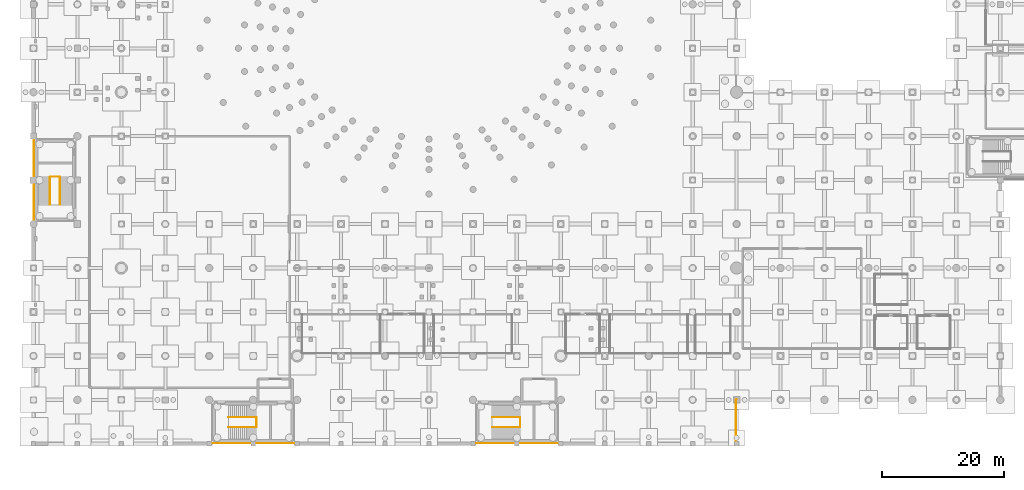
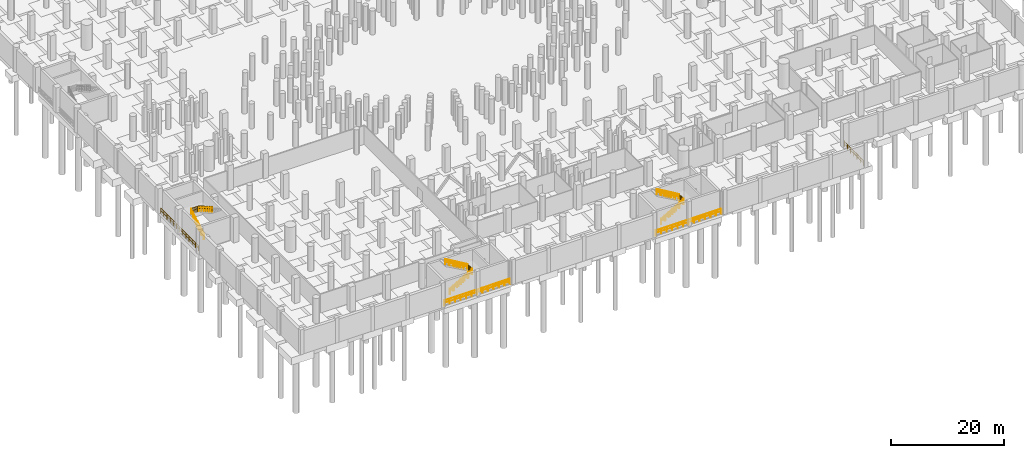
# One storey, part 32 of 37: 19 railings.
"""IFC4 building model written with IfcOpenShell, lengths in metres."""

from ifc_helpers import new_model, si_unit, direction, frame, origin, origin_2d, place, context, subcontext, project, spatial, circle, extrude, material, type_object, element, save


model = new_model("IFC4")

# Units and contexts
model_context = context("Model", 3, precision=1e-05, world=origin(), true_north=direction((0.0, 1.0)))
body_context = subcontext(model_context, "Body", "Model", "MODEL_VIEW")
ifc_project = project(units=[si_unit("LENGTHUNIT", "METRE"), si_unit("AREAUNIT", "SQUARE_METRE"), si_unit("VOLUMEUNIT", "CUBIC_METRE"), si_unit("PLANEANGLEUNIT", "RADIAN"), si_unit("MASSUNIT", "GRAM", prefix="KILO")], contexts=[model_context])

# Site, building, storey
site_placement = place(None, origin())
site = spatial("IfcSite", under=ifc_project, at=site_placement, CompositionType="ELEMENT")
building_placement = place(site_placement, origin())
building = spatial("IfcBuilding", under=site, at=building_placement, Name="Qandorah Velis Arena", CompositionType="ELEMENT")
storey_placement = place(building_placement, frame((0.0, 0.0, -5.39990234375)))
storey = spatial("IfcBuildingStorey", under=building, at=storey_placement, Name="B1", CompositionType="ELEMENT", Elevation=-5.39990234375)

# Railings
ifc_material = material(Name="Stainless steel 316", Category="steel")
railing_type_1 = type_object("IfcRailingType", Name="ARC-RL-GRD1150", PredefinedType="GUARDRAIL", material=ifc_material)
railing_1_placement = place(storey_placement, frame((36.5458984375, 2.739990234375, 2.699951171875)))
element("IfcRailing", 1, at=railing_1_placement, inside=storey, type_object=railing_type_1, Name="Stair ST1 well guardrail (B1)", PredefinedType="GUARDRAIL", context=body_context, shape_type="SweptSolid", body=[
    extrude(circle(Radius=0.02392578125, at=origin_2d()), frame((0.0, 0.0, 1.1259765625), z_axis=(0.0, 1.0, 0.0), x_axis=(-1.0, 0.0, 0.0)), (0.0, 0.0, 1.0), 1.6201171875),
    extrude(circle(Radius=0.02392578125, at=origin_2d()), frame((0.0, 0.0, 0.597900390625), z_axis=(0.0, 1.0, 0.0), x_axis=(-1.0, 0.0, 0.0)), (0.0, 0.0, 1.0), 1.6201171875),
    extrude(circle(Radius=0.02099609375, at=origin_2d()), origin(), (0.0, 0.0, 1.0), 1.101806640625),
    extrude(circle(Radius=0.02099609375, at=origin_2d()), frame((0.0, 0.27001953125, 0.0)), (0.0, 0.0, 1.0), 1.101806640625),
    extrude(circle(Radius=0.02099609375, at=origin_2d()), frame((0.0, 0.5400390625, 0.0)), (0.0, 0.0, 1.0), 1.101806640625),
    extrude(circle(Radius=0.02099609375, at=origin_2d()), frame((0.0, 0.81005859375, 0.0)), (0.0, 0.0, 1.0), 1.101806640625),
    extrude(circle(Radius=0.02099609375, at=origin_2d()), frame((0.0, 1.080078125, 0.0)), (0.0, 0.0, 1.0), 1.101806640625),
    extrude(circle(Radius=0.02099609375, at=origin_2d()), frame((0.0, 1.35009765625, 0.0)), (0.0, 0.0, 1.0), 1.101806640625),
    extrude(circle(Radius=0.02099609375, at=origin_2d()), frame((0.0, 1.6201171875, 0.0)), (0.0, 0.0, 1.0), 1.101806640625),
])
railing_2_placement = place(storey_placement, frame((31.949951171875, 2.72998046875, 0.0)))
element("IfcRailing", 2, at=railing_2_placement, inside=storey, type_object=railing_type_1, Name="Stair ST1 inner flight 1 guardrail (B1)", PredefinedType="GUARDRAIL", context=body_context, shape_type="SweptSolid", body=[
    extrude(circle(Radius=0.02392578125, at=origin_2d()), frame((0.0, 0.0, 1.1259765625), z_axis=(0.859303531718, 0.0, 0.511465971866), x_axis=(0.0, 1.0, 0.0)), (0.0, 0.0, 1.0), 5.27880859375),
    extrude(circle(Radius=0.02392578125, at=origin_2d()), frame((0.0, 0.0, 0.597900390625), z_axis=(0.859303531718, 0.0, 0.511465971866), x_axis=(0.0, 1.0, 0.0)), (0.0, 0.0, 1.0), 5.27880859375),
    extrude(circle(Radius=0.02099609375, at=origin_2d()), origin(), (0.0, 0.0, 1.0), 1.101806640625),
    extrude(circle(Radius=0.02099609375, at=origin_2d()), frame((0.756103515625, 0.0, 0.449951171875)), (0.0, 0.0, 1.0), 1.101806640625),
    extrude(circle(Radius=0.02099609375, at=origin_2d()), frame((1.511962890625, 0.0, 0.89990234375)), (0.0, 0.0, 1.0), 1.101806640625),
    extrude(circle(Radius=0.02099609375, at=origin_2d()), frame((2.26806640625, 0.0, 1.35009765625)), (0.0, 0.0, 1.0), 1.101806640625),
    extrude(circle(Radius=0.02099609375, at=origin_2d()), frame((3.024169921875, 0.0, 1.800048828125)), (0.0, 0.0, 1.0), 1.101806640625),
    extrude(circle(Radius=0.02099609375, at=origin_2d()), frame((3.780029296875, 0.0, 2.25)), (0.0, 0.0, 1.0), 1.101806640625),
    extrude(circle(Radius=0.02099609375, at=origin_2d()), frame((4.5361328125, 0.0, 2.699951171875)), (0.0, 0.0, 1.0), 1.101806640625),
])
railing_3_placement = place(storey_placement, frame((36.486083984375, 4.3701171875, 2.699951171875)))
element("IfcRailing", 3, at=railing_3_placement, inside=storey, type_object=railing_type_1, Name="Stair ST1 inner flight 2 guardrail (B1)", PredefinedType="GUARDRAIL", context=body_context, shape_type="SweptSolid", body=[
    extrude(circle(Radius=0.02392578125, at=origin_2d()), frame((0.0, 0.0, 1.1259765625), z_axis=(-0.859303531718, 0.0, 0.511465971866), x_axis=(0.0, -1.0, 0.0)), (0.0, 0.0, 1.0), 5.27880859375),
    extrude(circle(Radius=0.02392578125, at=origin_2d()), frame((0.0, 0.0, 0.597900390625), z_axis=(-0.859303531718, 0.0, 0.511465971866), x_axis=(0.0, -1.0, 0.0)), (0.0, 0.0, 1.0), 5.27880859375),
    extrude(circle(Radius=0.02099609375, at=origin_2d()), origin(), (0.0, 0.0, 1.0), 1.101806640625),
    extrude(circle(Radius=0.02099609375, at=origin_2d()), frame((-0.756103515625, 0.0, 0.449951171875)), (0.0, 0.0, 1.0), 1.101806640625),
    extrude(circle(Radius=0.02099609375, at=origin_2d()), frame((-1.511962890625, 0.0, 0.89990234375)), (0.0, 0.0, 1.0), 1.101806640625),
    extrude(circle(Radius=0.02099609375, at=origin_2d()), frame((-2.26806640625, 0.0, 1.35009765625)), (0.0, 0.0, 1.0), 1.101806640625),
    extrude(circle(Radius=0.02099609375, at=origin_2d()), frame((-3.024169921875, 0.0, 1.800048828125)), (0.0, 0.0, 1.0), 1.101806640625),
    extrude(circle(Radius=0.02099609375, at=origin_2d()), frame((-3.780029296875, 0.0, 2.25)), (0.0, 0.0, 1.0), 1.101806640625),
    extrude(circle(Radius=0.02099609375, at=origin_2d()), frame((-4.5361328125, 0.0, 2.699951171875)), (0.0, 0.0, 1.0), 1.101806640625),
])
railing_4_placement = place(storey_placement, frame((79.74609375, 2.739990234375, 2.699951171875)))
element("IfcRailing", 4, at=railing_4_placement, inside=storey, type_object=railing_type_1, Name="Stair ST2 well guardrail (B1)", PredefinedType="GUARDRAIL", context=body_context, shape_type="SweptSolid", body=[
    extrude(circle(Radius=0.02392578125, at=origin_2d()), frame((0.0, 0.0, 1.1259765625), z_axis=(0.0, 1.0, 0.0), x_axis=(-1.0, 0.0, 0.0)), (0.0, 0.0, 1.0), 1.6201171875),
    extrude(circle(Radius=0.02392578125, at=origin_2d()), frame((0.0, 0.0, 0.597900390625), z_axis=(0.0, 1.0, 0.0), x_axis=(-1.0, 0.0, 0.0)), (0.0, 0.0, 1.0), 1.6201171875),
    extrude(circle(Radius=0.02099609375, at=origin_2d()), origin(), (0.0, 0.0, 1.0), 1.101806640625),
    extrude(circle(Radius=0.02099609375, at=origin_2d()), frame((0.0, 0.27001953125, 0.0)), (0.0, 0.0, 1.0), 1.101806640625),
    extrude(circle(Radius=0.02099609375, at=origin_2d()), frame((0.0, 0.5400390625, 0.0)), (0.0, 0.0, 1.0), 1.101806640625),
    extrude(circle(Radius=0.02099609375, at=origin_2d()), frame((0.0, 0.81005859375, 0.0)), (0.0, 0.0, 1.0), 1.101806640625),
    extrude(circle(Radius=0.02099609375, at=origin_2d()), frame((0.0, 1.080078125, 0.0)), (0.0, 0.0, 1.0), 1.101806640625),
    extrude(circle(Radius=0.02099609375, at=origin_2d()), frame((0.0, 1.35009765625, 0.0)), (0.0, 0.0, 1.0), 1.101806640625),
    extrude(circle(Radius=0.02099609375, at=origin_2d()), frame((0.0, 1.6201171875, 0.0)), (0.0, 0.0, 1.0), 1.101806640625),
])
railing_5_placement = place(storey_placement, frame((75.14990234375, 2.72998046875, 0.0)))
element("IfcRailing", 5, at=railing_5_placement, inside=storey, type_object=railing_type_1, Name="Stair ST2 inner flight 1 guardrail (B1)", PredefinedType="GUARDRAIL", context=body_context, shape_type="SweptSolid", body=[
    extrude(circle(Radius=0.02392578125, at=origin_2d()), frame((0.0, 0.0, 1.1259765625), z_axis=(0.859303531718, 0.0, 0.511465971866), x_axis=(0.0, 1.0, 0.0)), (0.0, 0.0, 1.0), 5.27880859375),
    extrude(circle(Radius=0.02392578125, at=origin_2d()), frame((0.0, 0.0, 0.597900390625), z_axis=(0.859303531718, 0.0, 0.511465971866), x_axis=(0.0, 1.0, 0.0)), (0.0, 0.0, 1.0), 5.27880859375),
    extrude(circle(Radius=0.02099609375, at=origin_2d()), origin(), (0.0, 0.0, 1.0), 1.101806640625),
    extrude(circle(Radius=0.02099609375, at=origin_2d()), frame((0.756103515625, 0.0, 0.449951171875)), (0.0, 0.0, 1.0), 1.101806640625),
    extrude(circle(Radius=0.02099609375, at=origin_2d()), frame((1.511962890625, 0.0, 0.89990234375)), (0.0, 0.0, 1.0), 1.101806640625),
    extrude(circle(Radius=0.02099609375, at=origin_2d()), frame((2.26806640625, 0.0, 1.35009765625)), (0.0, 0.0, 1.0), 1.101806640625),
    extrude(circle(Radius=0.02099609375, at=origin_2d()), frame((3.024169921875, 0.0, 1.800048828125)), (0.0, 0.0, 1.0), 1.101806640625),
    extrude(circle(Radius=0.02099609375, at=origin_2d()), frame((3.780029296875, 0.0, 2.25)), (0.0, 0.0, 1.0), 1.101806640625),
    extrude(circle(Radius=0.02099609375, at=origin_2d()), frame((4.5361328125, 0.0, 2.699951171875)), (0.0, 0.0, 1.0), 1.101806640625),
])
railing_6_placement = place(storey_placement, frame((79.68603515625, 4.3701171875, 2.699951171875)))
element("IfcRailing", 6, at=railing_6_placement, inside=storey, type_object=railing_type_1, Name="Stair ST2 inner flight 2 guardrail (B1)", PredefinedType="GUARDRAIL", context=body_context, shape_type="SweptSolid", body=[
    extrude(circle(Radius=0.02392578125, at=origin_2d()), frame((0.0, 0.0, 1.1259765625), z_axis=(-0.859303531718, 0.0, 0.511465971866), x_axis=(0.0, -1.0, 0.0)), (0.0, 0.0, 1.0), 5.27880859375),
    extrude(circle(Radius=0.02392578125, at=origin_2d()), frame((0.0, 0.0, 0.597900390625), z_axis=(-0.859303531718, 0.0, 0.511465971866), x_axis=(0.0, -1.0, 0.0)), (0.0, 0.0, 1.0), 5.27880859375),
    extrude(circle(Radius=0.02099609375, at=origin_2d()), origin(), (0.0, 0.0, 1.0), 1.101806640625),
    extrude(circle(Radius=0.02099609375, at=origin_2d()), frame((-0.756103515625, 0.0, 0.449951171875)), (0.0, 0.0, 1.0), 1.101806640625),
    extrude(circle(Radius=0.02099609375, at=origin_2d()), frame((-1.511962890625, 0.0, 0.89990234375)), (0.0, 0.0, 1.0), 1.101806640625),
    extrude(circle(Radius=0.02099609375, at=origin_2d()), frame((-2.26806640625, 0.0, 1.35009765625)), (0.0, 0.0, 1.0), 1.101806640625),
    extrude(circle(Radius=0.02099609375, at=origin_2d()), frame((-3.024169921875, 0.0, 1.800048828125)), (0.0, 0.0, 1.0), 1.101806640625),
    extrude(circle(Radius=0.02099609375, at=origin_2d()), frame((-3.780029296875, 0.0, 2.25)), (0.0, 0.0, 1.0), 1.101806640625),
    extrude(circle(Radius=0.02099609375, at=origin_2d()), frame((-4.5361328125, 0.0, 2.699951171875)), (0.0, 0.0, 1.0), 1.101806640625),
])
railing_7_placement = place(storey_placement, frame((2.739990234375, 43.74609375, 2.699951171875)))
element("IfcRailing", 7, at=railing_7_placement, inside=storey, type_object=railing_type_1, Name="Stair ST5 well guardrail (B1)", PredefinedType="GUARDRAIL", context=body_context, shape_type="SweptSolid", body=[
    extrude(circle(Radius=0.02392578125, at=origin_2d()), frame((0.0, 0.0, 1.1259765625), z_axis=(1.0, 0.0, 0.0), x_axis=(0.0, 1.0, 0.0)), (0.0, 0.0, 1.0), 1.6201171875),
    extrude(circle(Radius=0.02392578125, at=origin_2d()), frame((0.0, 0.0, 0.597900390625), z_axis=(1.0, 0.0, 0.0), x_axis=(0.0, 1.0, 0.0)), (0.0, 0.0, 1.0), 1.6201171875),
    extrude(circle(Radius=0.02099609375, at=origin_2d()), origin(), (0.0, 0.0, 1.0), 1.101806640625),
    extrude(circle(Radius=0.02099609375, at=origin_2d()), frame((0.27001953125, 0.0, 0.0)), (0.0, 0.0, 1.0), 1.101806640625),
    extrude(circle(Radius=0.02099609375, at=origin_2d()), frame((0.5400390625, 0.0, 0.0)), (0.0, 0.0, 1.0), 1.101806640625),
    extrude(circle(Radius=0.02099609375, at=origin_2d()), frame((0.81005859375, 0.0, 0.0)), (0.0, 0.0, 1.0), 1.101806640625),
    extrude(circle(Radius=0.02099609375, at=origin_2d()), frame((1.080078125, 0.0, 0.0)), (0.0, 0.0, 1.0), 1.101806640625),
    extrude(circle(Radius=0.02099609375, at=origin_2d()), frame((1.35009765625, 0.0, 0.0)), (0.0, 0.0, 1.0), 1.101806640625),
    extrude(circle(Radius=0.02099609375, at=origin_2d()), frame((1.6201171875, 0.0, 0.0)), (0.0, 0.0, 1.0), 1.101806640625),
])
railing_8_placement = place(storey_placement, frame((2.72998046875, 39.14990234375, 0.0)))
element("IfcRailing", 8, at=railing_8_placement, inside=storey, type_object=railing_type_1, Name="Stair ST5 inner flight 1 guardrail (B1)", PredefinedType="GUARDRAIL", context=body_context, shape_type="SweptSolid", body=[
    extrude(circle(Radius=0.02392578125, at=origin_2d()), frame((0.0, 0.0, 1.1259765625), z_axis=(0.0, 0.859303531718, 0.511465971866), x_axis=(-1.0, 0.0, 0.0)), (0.0, 0.0, 1.0), 5.27880859375),
    extrude(circle(Radius=0.02392578125, at=origin_2d()), frame((0.0, 0.0, 0.597900390625), z_axis=(0.0, 0.859303531718, 0.511465971866), x_axis=(-1.0, 0.0, 0.0)), (0.0, 0.0, 1.0), 5.27880859375),
    extrude(circle(Radius=0.02099609375, at=origin_2d()), origin(), (0.0, 0.0, 1.0), 1.101806640625),
    extrude(circle(Radius=0.02099609375, at=origin_2d()), frame((0.0, 0.756103515625, 0.449951171875)), (0.0, 0.0, 1.0), 1.101806640625),
    extrude(circle(Radius=0.02099609375, at=origin_2d()), frame((0.0, 1.511962890625, 0.89990234375)), (0.0, 0.0, 1.0), 1.101806640625),
    extrude(circle(Radius=0.02099609375, at=origin_2d()), frame((0.0, 2.26806640625, 1.35009765625)), (0.0, 0.0, 1.0), 1.101806640625),
    extrude(circle(Radius=0.02099609375, at=origin_2d()), frame((0.0, 3.024169921875, 1.800048828125)), (0.0, 0.0, 1.0), 1.101806640625),
    extrude(circle(Radius=0.02099609375, at=origin_2d()), frame((0.0, 3.780029296875, 2.25)), (0.0, 0.0, 1.0), 1.101806640625),
    extrude(circle(Radius=0.02099609375, at=origin_2d()), frame((0.0, 4.5361328125, 2.699951171875)), (0.0, 0.0, 1.0), 1.101806640625),
])
railing_9_placement = place(storey_placement, frame((4.3701171875, 43.68603515625, 2.699951171875)))
element("IfcRailing", 9, at=railing_9_placement, inside=storey, type_object=railing_type_1, Name="Stair ST5 inner flight 2 guardrail (B1)", PredefinedType="GUARDRAIL", context=body_context, shape_type="SweptSolid", body=[
    extrude(circle(Radius=0.02392578125, at=origin_2d()), frame((0.0, 0.0, 1.1259765625), z_axis=(0.0, -0.859303531718, 0.511465971866), x_axis=(1.0, 0.0, 0.0)), (0.0, 0.0, 1.0), 5.27880859375),
    extrude(circle(Radius=0.02392578125, at=origin_2d()), frame((0.0, 0.0, 0.597900390625), z_axis=(0.0, -0.859303531718, 0.511465971866), x_axis=(1.0, 0.0, 0.0)), (0.0, 0.0, 1.0), 5.27880859375),
    extrude(circle(Radius=0.02099609375, at=origin_2d()), origin(), (0.0, 0.0, 1.0), 1.101806640625),
    extrude(circle(Radius=0.02099609375, at=origin_2d()), frame((0.0, -0.756103515625, 0.449951171875)), (0.0, 0.0, 1.0), 1.101806640625),
    extrude(circle(Radius=0.02099609375, at=origin_2d()), frame((0.0, -1.511962890625, 0.89990234375)), (0.0, 0.0, 1.0), 1.101806640625),
    extrude(circle(Radius=0.02099609375, at=origin_2d()), frame((0.0, -2.26806640625, 1.35009765625)), (0.0, 0.0, 1.0), 1.101806640625),
    extrude(circle(Radius=0.02099609375, at=origin_2d()), frame((0.0, -3.024169921875, 1.800048828125)), (0.0, 0.0, 1.0), 1.101806640625),
    extrude(circle(Radius=0.02099609375, at=origin_2d()), frame((0.0, -3.780029296875, 2.25)), (0.0, 0.0, 1.0), 1.101806640625),
    extrude(circle(Radius=0.02099609375, at=origin_2d()), frame((0.0, -4.5361328125, 2.699951171875)), (0.0, 0.0, 1.0), 1.101806640625),
])
railing_10_placement = place(storey_placement, frame((115.199951171875, 7.300048828125, 0.0)))
element("IfcRailing", 10, at=railing_10_placement, inside=storey, type_object=railing_type_1, Name="Slab edge safety guardrail B1-001", PredefinedType="GUARDRAIL", context=body_context, shape_type="SweptSolid", body=[
    extrude(circle(Radius=0.02392578125, at=origin_2d()), frame((0.0, 0.0, 1.1259765625), z_axis=(-0.772928297309, -0.634493378388, 0.0), x_axis=(0.634493378388, -0.772928297309, 0.0)), (0.0, 0.0, 1.0), 0.126953125),
    extrude(circle(Radius=0.02392578125, at=origin_2d()), frame((0.0, 0.0, 0.597900390625), z_axis=(-0.772928297309, -0.634493378388, 0.0), x_axis=(0.634493378388, -0.772928297309, 0.0)), (0.0, 0.0, 1.0), 0.126953125),
    extrude(circle(Radius=0.02392578125, at=origin_2d()), frame((-0.09814453125, -0.08056640625, 1.1259765625), z_axis=(-0.000252826228, -0.999999968039, 0.0), x_axis=(0.999999968039, -0.000252826228, 0.0)), (0.0, 0.0, 1.0), 6.759521484375),
    extrude(circle(Radius=0.02392578125, at=origin_2d()), frame((-0.09814453125, -0.08056640625, 0.597900390625), z_axis=(-0.000252826228, -0.999999968039, 0.0), x_axis=(0.999999968039, -0.000252826228, 0.0)), (0.0, 0.0, 1.0), 6.759521484375),
    extrude(circle(Radius=0.02099609375, at=origin_2d()), origin(), (0.0, 0.0, 1.0), 1.101806640625),
    extrude(circle(Radius=0.02099609375, at=origin_2d()), frame((-0.09814453125, -0.08056640625, 0.0)), (0.0, 0.0, 1.0), 1.101806640625),
    extrude(circle(Radius=0.02099609375, at=origin_2d()), frame((-0.098388671875, -1.20703125, 0.0)), (0.0, 0.0, 1.0), 1.101806640625),
    extrude(circle(Radius=0.02099609375, at=origin_2d()), frame((-0.0986328125, -2.333740234375, 0.0)), (0.0, 0.0, 1.0), 1.101806640625),
    extrude(circle(Radius=0.02099609375, at=origin_2d()), frame((-0.09912109375, -3.46044921875, 0.0)), (0.0, 0.0, 1.0), 1.101806640625),
    extrude(circle(Radius=0.02099609375, at=origin_2d()), frame((-0.099365234375, -4.5869140625, 0.0)), (0.0, 0.0, 1.0), 1.101806640625),
    extrude(circle(Radius=0.02099609375, at=origin_2d()), frame((-0.099609375, -5.71337890625, 0.0)), (0.0, 0.0, 1.0), 1.101806640625),
    extrude(circle(Radius=0.02099609375, at=origin_2d()), frame((-0.099853515625, -6.840087890625, 0.0)), (0.0, 0.0, 1.0), 1.101806640625),
])
railing_11_placement = place(storey_placement, frame((85.89990234375, 0.10009765625, 0.0)))
element("IfcRailing", 11, at=railing_11_placement, inside=storey, type_object=railing_type_1, Name="Slab edge safety guardrail B1-002", PredefinedType="GUARDRAIL", context=body_context, shape_type="SweptSolid", body=[
    extrude(circle(Radius=0.02392578125, at=origin_2d()), frame((0.0, 0.0, 1.1259765625), z_axis=(-1.0, 0.0, 0.0), x_axis=(0.0, -1.0, 0.0)), (0.0, 0.0, 1.0), 13.39990234375),
    extrude(circle(Radius=0.02392578125, at=origin_2d()), frame((0.0, 0.0, 0.597900390625), z_axis=(-1.0, 0.0, 0.0), x_axis=(0.0, -1.0, 0.0)), (0.0, 0.0, 1.0), 13.39990234375),
    extrude(circle(Radius=0.02099609375, at=origin_2d()), origin(), (0.0, 0.0, 1.0), 1.101806640625),
    extrude(circle(Radius=0.02099609375, at=origin_2d()), frame((-1.11669921875, 0.0, 0.0)), (0.0, 0.0, 1.0), 1.101806640625),
    extrude(circle(Radius=0.02099609375, at=origin_2d()), frame((-2.2333984375, 0.0, 0.0)), (0.0, 0.0, 1.0), 1.101806640625),
    extrude(circle(Radius=0.02099609375, at=origin_2d()), frame((-3.35009765625, 0.0, 0.0)), (0.0, 0.0, 1.0), 1.101806640625),
    extrude(circle(Radius=0.02099609375, at=origin_2d()), frame((-4.466552734375, 0.0, 0.0)), (0.0, 0.0, 1.0), 1.101806640625),
    extrude(circle(Radius=0.02099609375, at=origin_2d()), frame((-5.583251953125, 0.0, 0.0)), (0.0, 0.0, 1.0), 1.101806640625),
    extrude(circle(Radius=0.02099609375, at=origin_2d()), frame((-6.699951171875, 0.0, 0.0)), (0.0, 0.0, 1.0), 1.101806640625),
    extrude(circle(Radius=0.02099609375, at=origin_2d()), frame((-7.816650390625, 0.0, 0.0)), (0.0, 0.0, 1.0), 1.101806640625),
    extrude(circle(Radius=0.02099609375, at=origin_2d()), frame((-8.933349609375, 0.0, 0.0)), (0.0, 0.0, 1.0), 1.101806640625),
    extrude(circle(Radius=0.02099609375, at=origin_2d()), frame((-10.0498046875, 0.0, 0.0)), (0.0, 0.0, 1.0), 1.101806640625),
    extrude(circle(Radius=0.02099609375, at=origin_2d()), frame((-11.16650390625, 0.0, 0.0)), (0.0, 0.0, 1.0), 1.101806640625),
    extrude(circle(Radius=0.02099609375, at=origin_2d()), frame((-12.283203125, 0.0, 0.0)), (0.0, 0.0, 1.0), 1.101806640625),
    extrude(circle(Radius=0.02099609375, at=origin_2d()), frame((-13.39990234375, 0.0, 0.0)), (0.0, 0.0, 1.0), 1.101806640625),
])
railing_12_placement = place(storey_placement, frame((42.699951171875, 0.10009765625, 0.0)))
element("IfcRailing", 12, at=railing_12_placement, inside=storey, type_object=railing_type_1, Name="Slab edge safety guardrail B1-003", PredefinedType="GUARDRAIL", context=body_context, shape_type="SweptSolid", body=[
    extrude(circle(Radius=0.02392578125, at=origin_2d()), frame((0.0, 0.0, 1.1259765625), z_axis=(-1.0, 0.0, 0.0), x_axis=(0.0, -1.0, 0.0)), (0.0, 0.0, 1.0), 13.39990234375),
    extrude(circle(Radius=0.02392578125, at=origin_2d()), frame((0.0, 0.0, 0.597900390625), z_axis=(-1.0, 0.0, 0.0), x_axis=(0.0, -1.0, 0.0)), (0.0, 0.0, 1.0), 13.39990234375),
    extrude(circle(Radius=0.02099609375, at=origin_2d()), origin(), (0.0, 0.0, 1.0), 1.101806640625),
    extrude(circle(Radius=0.02099609375, at=origin_2d()), frame((-1.11669921875, 0.0, 0.0)), (0.0, 0.0, 1.0), 1.101806640625),
    extrude(circle(Radius=0.02099609375, at=origin_2d()), frame((-2.2333984375, 0.0, 0.0)), (0.0, 0.0, 1.0), 1.101806640625),
    extrude(circle(Radius=0.02099609375, at=origin_2d()), frame((-3.35009765625, 0.0, 0.0)), (0.0, 0.0, 1.0), 1.101806640625),
    extrude(circle(Radius=0.02099609375, at=origin_2d()), frame((-4.466552734375, 0.0, 0.0)), (0.0, 0.0, 1.0), 1.101806640625),
    extrude(circle(Radius=0.02099609375, at=origin_2d()), frame((-5.583251953125, 0.0, 0.0)), (0.0, 0.0, 1.0), 1.101806640625),
    extrude(circle(Radius=0.02099609375, at=origin_2d()), frame((-6.699951171875, 0.0, 0.0)), (0.0, 0.0, 1.0), 1.101806640625),
    extrude(circle(Radius=0.02099609375, at=origin_2d()), frame((-7.816650390625, 0.0, 0.0)), (0.0, 0.0, 1.0), 1.101806640625),
    extrude(circle(Radius=0.02099609375, at=origin_2d()), frame((-8.933349609375, 0.0, 0.0)), (0.0, 0.0, 1.0), 1.101806640625),
    extrude(circle(Radius=0.02099609375, at=origin_2d()), frame((-10.0498046875, 0.0, 0.0)), (0.0, 0.0, 1.0), 1.101806640625),
    extrude(circle(Radius=0.02099609375, at=origin_2d()), frame((-11.16650390625, 0.0, 0.0)), (0.0, 0.0, 1.0), 1.101806640625),
    extrude(circle(Radius=0.02099609375, at=origin_2d()), frame((-12.283203125, 0.0, 0.0)), (0.0, 0.0, 1.0), 1.101806640625),
    extrude(circle(Radius=0.02099609375, at=origin_2d()), frame((-13.39990234375, 0.0, 0.0)), (0.0, 0.0, 1.0), 1.101806640625),
])
railing_13_placement = place(storey_placement, frame((0.10009765625, 36.5, 0.0)))
element("IfcRailing", 13, at=railing_13_placement, inside=storey, type_object=railing_type_1, Name="Slab edge safety guardrail B1-004", PredefinedType="GUARDRAIL", context=body_context, shape_type="SweptSolid", body=[
    extrude(circle(Radius=0.02392578125, at=origin_2d()), frame((0.0, 0.0, 1.1259765625), z_axis=(0.0, 1.0, 0.0), x_axis=(-1.0, 0.0, 0.0)), (0.0, 0.0, 1.0), 13.39990234375),
    extrude(circle(Radius=0.02392578125, at=origin_2d()), frame((0.0, 0.0, 0.597900390625), z_axis=(0.0, 1.0, 0.0), x_axis=(-1.0, 0.0, 0.0)), (0.0, 0.0, 1.0), 13.39990234375),
    extrude(circle(Radius=0.02099609375, at=origin_2d()), origin(), (0.0, 0.0, 1.0), 1.101806640625),
    extrude(circle(Radius=0.02099609375, at=origin_2d()), frame((0.0, 1.11669921875, 0.0)), (0.0, 0.0, 1.0), 1.101806640625),
    extrude(circle(Radius=0.02099609375, at=origin_2d()), frame((0.0, 2.2333984375, 0.0)), (0.0, 0.0, 1.0), 1.101806640625),
    extrude(circle(Radius=0.02099609375, at=origin_2d()), frame((0.0, 3.35009765625, 0.0)), (0.0, 0.0, 1.0), 1.101806640625),
    extrude(circle(Radius=0.02099609375, at=origin_2d()), frame((0.0, 4.466552734375, 0.0)), (0.0, 0.0, 1.0), 1.101806640625),
    extrude(circle(Radius=0.02099609375, at=origin_2d()), frame((0.0, 5.583251953125, 0.0)), (0.0, 0.0, 1.0), 1.101806640625),
    extrude(circle(Radius=0.02099609375, at=origin_2d()), frame((0.0, 6.699951171875, 0.0)), (0.0, 0.0, 1.0), 1.101806640625),
    extrude(circle(Radius=0.02099609375, at=origin_2d()), frame((0.0, 7.816650390625, 0.0)), (0.0, 0.0, 1.0), 1.101806640625),
    extrude(circle(Radius=0.02099609375, at=origin_2d()), frame((0.0, 8.933349609375, 0.0)), (0.0, 0.0, 1.0), 1.101806640625),
    extrude(circle(Radius=0.02099609375, at=origin_2d()), frame((0.0, 10.0498046875, 0.0)), (0.0, 0.0, 1.0), 1.101806640625),
    extrude(circle(Radius=0.02099609375, at=origin_2d()), frame((0.0, 11.16650390625, 0.0)), (0.0, 0.0, 1.0), 1.101806640625),
    extrude(circle(Radius=0.02099609375, at=origin_2d()), frame((0.0, 12.283203125, 0.0)), (0.0, 0.0, 1.0), 1.101806640625),
    extrude(circle(Radius=0.02099609375, at=origin_2d()), frame((0.0, 13.39990234375, 0.0)), (0.0, 0.0, 1.0), 1.101806640625),
])
railing_type_2 = type_object("IfcRailingType", Name="ARC-RL-HND920", PredefinedType="HANDRAIL", material=ifc_material)
railing_14_placement = place(storey_placement, frame((31.949951171875, 2.72998046875, 0.0)))
element("IfcRailing", 14, at=railing_14_placement, inside=storey, type_object=railing_type_2, Name="Stair ST1 inner handrail 1 (B1)", PredefinedType="HANDRAIL", context=body_context, shape_type="SweptSolid", body=[
    extrude(circle(Radius=0.02392578125, at=origin_2d()), frame((0.0, 0.0, 0.89599609375), z_axis=(0.859303531718, 0.0, 0.511465971866), x_axis=(0.0, 1.0, 0.0)), (0.0, 0.0, 1.0), 5.27880859375),
    extrude(circle(Radius=0.02099609375, at=origin_2d()), origin(), (0.0, 0.0, 1.0), 0.871826171875),
    extrude(circle(Radius=0.02099609375, at=origin_2d()), frame((0.9072265625, 0.0, 0.5400390625)), (0.0, 0.0, 1.0), 0.871826171875),
    extrude(circle(Radius=0.02099609375, at=origin_2d()), frame((1.814453125, 0.0, 1.080078125)), (0.0, 0.0, 1.0), 0.871826171875),
    extrude(circle(Radius=0.02099609375, at=origin_2d()), frame((2.7216796875, 0.0, 1.619873046875)), (0.0, 0.0, 1.0), 0.871826171875),
    extrude(circle(Radius=0.02099609375, at=origin_2d()), frame((3.62890625, 0.0, 2.159912109375)), (0.0, 0.0, 1.0), 0.871826171875),
    extrude(circle(Radius=0.02099609375, at=origin_2d()), frame((4.5361328125, 0.0, 2.699951171875)), (0.0, 0.0, 1.0), 0.871826171875),
])
railing_15_placement = place(storey_placement, frame((36.486083984375, 4.3701171875, 2.699951171875)))
element("IfcRailing", 15, at=railing_15_placement, inside=storey, type_object=railing_type_2, Name="Stair ST1 inner handrail 2 (B1)", PredefinedType="HANDRAIL", context=body_context, shape_type="SweptSolid", body=[
    extrude(circle(Radius=0.02392578125, at=origin_2d()), frame((0.0, 0.0, 0.89599609375), z_axis=(-0.859303531718, 0.0, 0.511465971866), x_axis=(0.0, -1.0, 0.0)), (0.0, 0.0, 1.0), 5.27880859375),
    extrude(circle(Radius=0.02099609375, at=origin_2d()), origin(), (0.0, 0.0, 1.0), 0.871826171875),
    extrude(circle(Radius=0.02099609375, at=origin_2d()), frame((-0.9072265625, 0.0, 0.5400390625)), (0.0, 0.0, 1.0), 0.871826171875),
    extrude(circle(Radius=0.02099609375, at=origin_2d()), frame((-1.814453125, 0.0, 1.080078125)), (0.0, 0.0, 1.0), 0.871826171875),
    extrude(circle(Radius=0.02099609375, at=origin_2d()), frame((-2.7216796875, 0.0, 1.619873046875)), (0.0, 0.0, 1.0), 0.871826171875),
    extrude(circle(Radius=0.02099609375, at=origin_2d()), frame((-3.62890625, 0.0, 2.159912109375)), (0.0, 0.0, 1.0), 0.871826171875),
    extrude(circle(Radius=0.02099609375, at=origin_2d()), frame((-4.5361328125, 0.0, 2.699951171875)), (0.0, 0.0, 1.0), 0.871826171875),
])
railing_16_placement = place(storey_placement, frame((75.14990234375, 2.72998046875, 0.0)))
element("IfcRailing", 16, at=railing_16_placement, inside=storey, type_object=railing_type_2, Name="Stair ST2 inner handrail 1 (B1)", PredefinedType="HANDRAIL", context=body_context, shape_type="SweptSolid", body=[
    extrude(circle(Radius=0.02392578125, at=origin_2d()), frame((0.0, 0.0, 0.89599609375), z_axis=(0.859303531718, 0.0, 0.511465971866), x_axis=(0.0, 1.0, 0.0)), (0.0, 0.0, 1.0), 5.27880859375),
    extrude(circle(Radius=0.02099609375, at=origin_2d()), origin(), (0.0, 0.0, 1.0), 0.871826171875),
    extrude(circle(Radius=0.02099609375, at=origin_2d()), frame((0.9072265625, 0.0, 0.5400390625)), (0.0, 0.0, 1.0), 0.871826171875),
    extrude(circle(Radius=0.02099609375, at=origin_2d()), frame((1.814453125, 0.0, 1.080078125)), (0.0, 0.0, 1.0), 0.871826171875),
    extrude(circle(Radius=0.02099609375, at=origin_2d()), frame((2.7216796875, 0.0, 1.619873046875)), (0.0, 0.0, 1.0), 0.871826171875),
    extrude(circle(Radius=0.02099609375, at=origin_2d()), frame((3.62890625, 0.0, 2.159912109375)), (0.0, 0.0, 1.0), 0.871826171875),
    extrude(circle(Radius=0.02099609375, at=origin_2d()), frame((4.5361328125, 0.0, 2.699951171875)), (0.0, 0.0, 1.0), 0.871826171875),
])
railing_17_placement = place(storey_placement, frame((79.68603515625, 4.3701171875, 2.699951171875)))
element("IfcRailing", 17, at=railing_17_placement, inside=storey, type_object=railing_type_2, Name="Stair ST2 inner handrail 2 (B1)", PredefinedType="HANDRAIL", context=body_context, shape_type="SweptSolid", body=[
    extrude(circle(Radius=0.02392578125, at=origin_2d()), frame((0.0, 0.0, 0.89599609375), z_axis=(-0.859303531718, 0.0, 0.511465971866), x_axis=(0.0, -1.0, 0.0)), (0.0, 0.0, 1.0), 5.27880859375),
    extrude(circle(Radius=0.02099609375, at=origin_2d()), origin(), (0.0, 0.0, 1.0), 0.871826171875),
    extrude(circle(Radius=0.02099609375, at=origin_2d()), frame((-0.9072265625, 0.0, 0.5400390625)), (0.0, 0.0, 1.0), 0.871826171875),
    extrude(circle(Radius=0.02099609375, at=origin_2d()), frame((-1.814453125, 0.0, 1.080078125)), (0.0, 0.0, 1.0), 0.871826171875),
    extrude(circle(Radius=0.02099609375, at=origin_2d()), frame((-2.7216796875, 0.0, 1.619873046875)), (0.0, 0.0, 1.0), 0.871826171875),
    extrude(circle(Radius=0.02099609375, at=origin_2d()), frame((-3.62890625, 0.0, 2.159912109375)), (0.0, 0.0, 1.0), 0.871826171875),
    extrude(circle(Radius=0.02099609375, at=origin_2d()), frame((-4.5361328125, 0.0, 2.699951171875)), (0.0, 0.0, 1.0), 0.871826171875),
])
railing_18_placement = place(storey_placement, frame((2.72998046875, 39.14990234375, 0.0)))
element("IfcRailing", 18, at=railing_18_placement, inside=storey, type_object=railing_type_2, Name="Stair ST5 inner handrail 1 (B1)", PredefinedType="HANDRAIL", context=body_context, shape_type="SweptSolid", body=[
    extrude(circle(Radius=0.02392578125, at=origin_2d()), frame((0.0, 0.0, 0.89599609375), z_axis=(0.0, 0.859303531718, 0.511465971866), x_axis=(-1.0, 0.0, 0.0)), (0.0, 0.0, 1.0), 5.27880859375),
    extrude(circle(Radius=0.02099609375, at=origin_2d()), origin(), (0.0, 0.0, 1.0), 0.871826171875),
    extrude(circle(Radius=0.02099609375, at=origin_2d()), frame((0.0, 0.9072265625, 0.5400390625)), (0.0, 0.0, 1.0), 0.871826171875),
    extrude(circle(Radius=0.02099609375, at=origin_2d()), frame((0.0, 1.814453125, 1.080078125)), (0.0, 0.0, 1.0), 0.871826171875),
    extrude(circle(Radius=0.02099609375, at=origin_2d()), frame((0.0, 2.7216796875, 1.619873046875)), (0.0, 0.0, 1.0), 0.871826171875),
    extrude(circle(Radius=0.02099609375, at=origin_2d()), frame((0.0, 3.62890625, 2.159912109375)), (0.0, 0.0, 1.0), 0.871826171875),
    extrude(circle(Radius=0.02099609375, at=origin_2d()), frame((0.0, 4.5361328125, 2.699951171875)), (0.0, 0.0, 1.0), 0.871826171875),
])
railing_19_placement = place(storey_placement, frame((4.3701171875, 43.68603515625, 2.699951171875)))
element("IfcRailing", 19, at=railing_19_placement, inside=storey, type_object=railing_type_2, Name="Stair ST5 inner handrail 2 (B1)", PredefinedType="HANDRAIL", context=body_context, shape_type="SweptSolid", body=[
    extrude(circle(Radius=0.02392578125, at=origin_2d()), frame((0.0, 0.0, 0.89599609375), z_axis=(0.0, -0.859303531718, 0.511465971866), x_axis=(1.0, 0.0, 0.0)), (0.0, 0.0, 1.0), 5.27880859375),
    extrude(circle(Radius=0.02099609375, at=origin_2d()), origin(), (0.0, 0.0, 1.0), 0.871826171875),
    extrude(circle(Radius=0.02099609375, at=origin_2d()), frame((0.0, -0.9072265625, 0.5400390625)), (0.0, 0.0, 1.0), 0.871826171875),
    extrude(circle(Radius=0.02099609375, at=origin_2d()), frame((0.0, -1.814453125, 1.080078125)), (0.0, 0.0, 1.0), 0.871826171875),
    extrude(circle(Radius=0.02099609375, at=origin_2d()), frame((0.0, -2.7216796875, 1.619873046875)), (0.0, 0.0, 1.0), 0.871826171875),
    extrude(circle(Radius=0.02099609375, at=origin_2d()), frame((0.0, -3.62890625, 2.159912109375)), (0.0, 0.0, 1.0), 0.871826171875),
    extrude(circle(Radius=0.02099609375, at=origin_2d()), frame((0.0, -4.5361328125, 2.699951171875)), (0.0, 0.0, 1.0), 0.871826171875),
])

save(model, "model.ifc")
